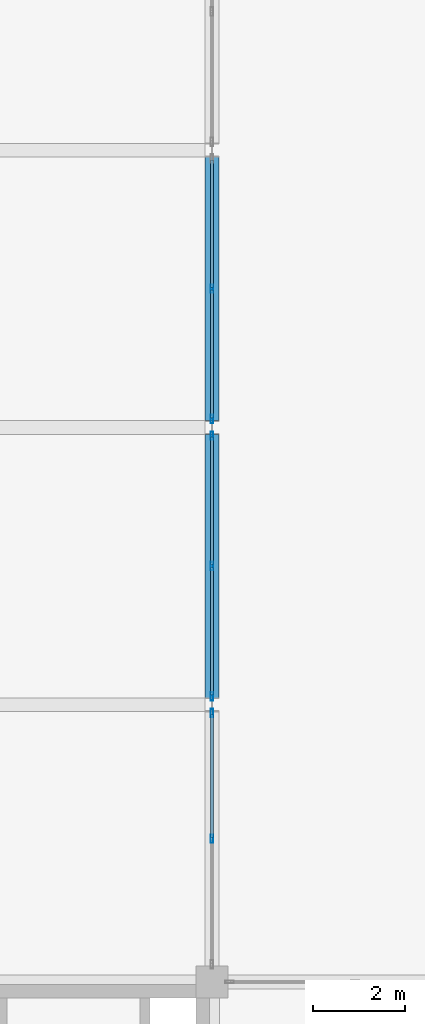
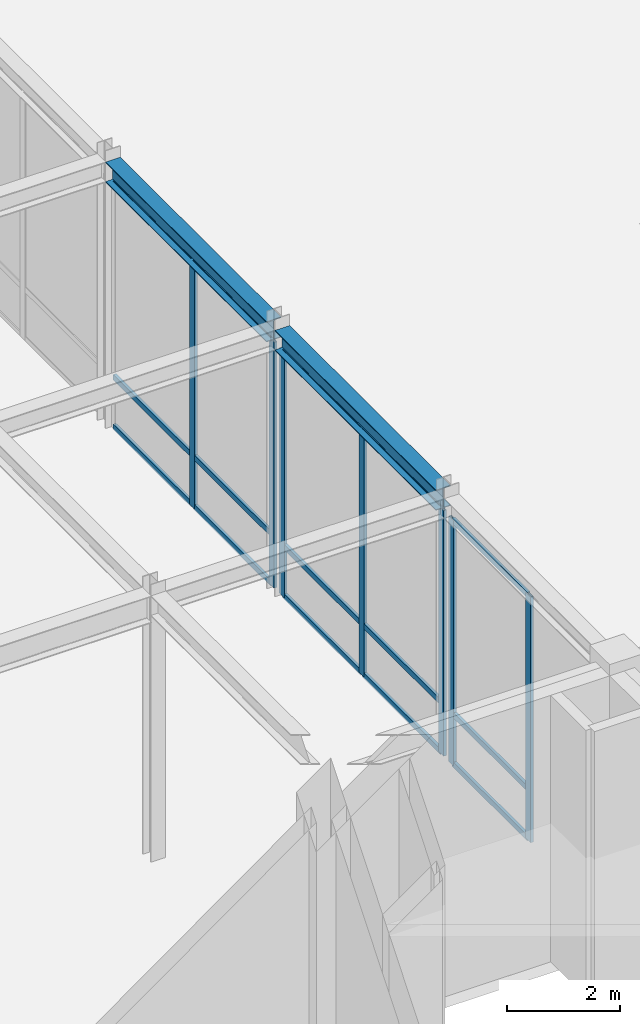
# One storey, part 42 of 108: 22 members, 2 beams, 3 elements without a shape of their own.
"""IFC4 building model written with IfcOpenShell, lengths in metres."""

from ifc_helpers import new_model, si_unit, direction, frame, origin, origin_2d, place, context, subcontext, project, spatial, hollow_rectangle, i_section, extrude, material, layer, layer_set, material_profile, profile_set, type_object, element, aggregate, save


model = new_model("IFC4")

# Units and contexts
model_context = context("Model", 3, precision=1e-05, world=origin(), true_north=direction((0.0, 1.0)))
body_context = subcontext(model_context, "Body", "Model", "MODEL_VIEW")
ifc_project = project(units=[si_unit("LENGTHUNIT", "METRE"), si_unit("AREAUNIT", "SQUARE_METRE"), si_unit("VOLUMEUNIT", "CUBIC_METRE"), si_unit("PLANEANGLEUNIT", "RADIAN"), si_unit("MASSUNIT", "GRAM", prefix="KILO")], contexts=[model_context])

# Site, building, storey
site_placement = place(None, origin())
site = spatial("IfcSite", under=ifc_project, at=site_placement, CompositionType="ELEMENT")
building_placement = place(site_placement, origin())
building = spatial("IfcBuilding", under=site, at=building_placement, Name="Zlatovratsky Civic Hall", CompositionType="ELEMENT")
storey_placement = place(building_placement, frame((0.0, 0.0, 6.0)))
storey = spatial("IfcBuildingStorey", under=building, at=storey_placement, Name="L02", CompositionType="ELEMENT", Elevation=6.0)

# Beams
ifc_material_1 = material(Name="Steel S355", Category="steel")
ifc_material_profile_1 = material_profile(ifc_material_1, i_section(OverallWidth=0.300048828125, OverallDepth=0.43994140625, WebThickness=0.010986328125, FlangeThickness=0.01806640625, FilletRadius=0.02197265625, at=origin_2d()), Name="45Sh1")
ifc_profile_set_1 = profile_set([ifc_material_profile_1], Name="Steel S355")
beam_type = type_object("IfcBeamType", Name="Beam_TowerLow_45Sh1", PredefinedType="BEAM", material=ifc_profile_set_1)
for number, where, z_axis, x_axis, name in (
    (1, (18.0, 36.14990234375, 5.5400390625), (0.0, 1.0, 0.0), (-1.0, 0.0, 0.0), "BM-2095"),
    (2, (18.0, 42.14990234375, 5.5400390625), (0.0, 1.0, 0.0), (-1.0, 0.0, 0.0), "BM-2096"),
):
    element("IfcBeam", number, at=place(storey_placement, frame(where, z_axis=z_axis, x_axis=x_axis)), inside=storey, type_object=beam_type, Name=name, PredefinedType="BEAM", context=body_context, shape_type="SweptSolid", body=[
        extrude(i_section(OverallWidth=0.300048828125, OverallDepth=0.43994140625, WebThickness=0.010986328125, FlangeThickness=0.01806640625, FilletRadius=0.02197265625, at=origin_2d()), origin(), (0.0, 0.0, 1.0), 5.7001953125),
    ])

# Curtain wall, members
ifc_material_2 = material(Name="Anodised bronze aluminium", Category="aluminium")
ifc_layer_1 = layer(ifc_material_2, 0.159912109375)
ifc_layer_set_1 = layer_set([ifc_layer_1], Name="Anodised bronze aluminium")
curtain_wall_type_1 = type_object("IfcCurtainWallType", Name="CurtainWall_Bronze_5500x5310_04", PredefinedType="NOTDEFINED", material=ifc_layer_set_1)
curtain_wall_1_placement = place(storey_placement, origin())
curtain_wall_1 = element("IfcCurtainWall", 3, at=curtain_wall_1_placement, inside=storey, type_object=curtain_wall_type_1, Name="CW-015", PredefinedType="NOTDEFINED")
ifc_material_profile_2 = material_profile(ifc_material_2, hollow_rectangle(XDim=0.06005859375, YDim=0.179931640625, WallThickness=0.00390625, at=origin_2d()), Name="ALU 60x180x4")
ifc_profile_set_2 = profile_set([ifc_material_profile_2], Name="Anodised bronze aluminium")
member_type_1 = type_object("IfcMemberType", Name="CW_Mullion_60x180", PredefinedType="MULLION", material=ifc_profile_set_2)
member_1_placement = place(storey_placement, frame((18.0, 33.10009765625, 0.0), z_axis=(0.0, 0.0, 1.0), x_axis=(-1.0, 0.0, 0.0)))
member_1 = element("IfcMember", 4, at=member_1_placement, type_object=member_type_1, Name="CW-04 mullion 2", PredefinedType="MULLION", context=body_context, shape_type="SweptSolid", body=[
    extrude(hollow_rectangle(XDim=0.06005859375, YDim=0.179931640625, WallThickness=0.00390625, at=origin_2d()), origin(), (0.0, 0.0, 1.0), 5.31005859375),
])
member_2_placement = place(storey_placement, frame((18.0, 35.820068359375, 0.0), z_axis=(0.0, 0.0, 1.0), x_axis=(-1.0, 0.0, 0.0)))
member_2 = element("IfcMember", 5, at=member_2_placement, type_object=member_type_1, Name="CW-04 mullion 3", PredefinedType="MULLION", context=body_context, shape_type="SweptSolid", body=[
    extrude(hollow_rectangle(XDim=0.06005859375, YDim=0.179931640625, WallThickness=0.00390625, at=origin_2d()), origin(), (0.0, 0.0, 1.0), 5.31005859375),
])

ifc_layer_2 = layer(ifc_material_2, 0.159912109375)
ifc_layer_set_2 = layer_set([ifc_layer_2], Name="Anodised bronze aluminium")
curtain_wall_type_2 = type_object("IfcCurtainWallType", Name="CurtainWall_Bronze_5700x5310_06", PredefinedType="NOTDEFINED", material=ifc_layer_set_2)
curtain_wall_2_placement = place(storey_placement, origin())
curtain_wall_2 = element("IfcCurtainWall", 6, at=curtain_wall_2_placement, inside=storey, type_object=curtain_wall_type_2, Name="CW-016", PredefinedType="NOTDEFINED")
member_3_placement = place(storey_placement, frame((18.0, 36.179931640625, 0.0), z_axis=(0.0, 0.0, 1.0), x_axis=(-1.0, 0.0, 0.0)))
member_3 = element("IfcMember", 7, at=member_3_placement, type_object=member_type_1, Name="CW-06 mullion 1", PredefinedType="MULLION", context=body_context, shape_type="SweptSolid", body=[
    extrude(hollow_rectangle(XDim=0.06005859375, YDim=0.179931640625, WallThickness=0.00390625, at=origin_2d()), origin(), (0.0, 0.0, 1.0), 5.31005859375),
])
member_4_placement = place(storey_placement, frame((18.0, 39.0, 0.0), z_axis=(0.0, 0.0, 1.0), x_axis=(-1.0, 0.0, 0.0)))
member_4 = element("IfcMember", 8, at=member_4_placement, type_object=member_type_1, Name="CW-06 mullion 2", PredefinedType="MULLION", context=body_context, shape_type="SweptSolid", body=[
    extrude(hollow_rectangle(XDim=0.06005859375, YDim=0.179931640625, WallThickness=0.00390625, at=origin_2d()), origin(), (0.0, 0.0, 1.0), 5.31005859375),
])
member_5_placement = place(storey_placement, frame((18.0, 41.820068359375, 0.0), z_axis=(0.0, 0.0, 1.0), x_axis=(-1.0, 0.0, 0.0)))
member_5 = element("IfcMember", 9, at=member_5_placement, type_object=member_type_1, Name="CW-06 mullion 3", PredefinedType="MULLION", context=body_context, shape_type="SweptSolid", body=[
    extrude(hollow_rectangle(XDim=0.06005859375, YDim=0.179931640625, WallThickness=0.00390625, at=origin_2d()), origin(), (0.0, 0.0, 1.0), 5.31005859375),
])

curtain_wall_3_placement = place(storey_placement, origin())
curtain_wall_3 = element("IfcCurtainWall", 10, at=curtain_wall_3_placement, inside=storey, type_object=curtain_wall_type_2, Name="CW-017", PredefinedType="NOTDEFINED")
member_6_placement = place(storey_placement, frame((18.0, 42.179931640625, 0.0), z_axis=(0.0, 0.0, 1.0), x_axis=(-1.0, 0.0, 0.0)))
member_6 = element("IfcMember", 11, at=member_6_placement, type_object=member_type_1, Name="CW-06 mullion 1", PredefinedType="MULLION", context=body_context, shape_type="SweptSolid", body=[
    extrude(hollow_rectangle(XDim=0.06005859375, YDim=0.179931640625, WallThickness=0.00390625, at=origin_2d()), origin(), (0.0, 0.0, 1.0), 5.31005859375),
])
member_7_placement = place(storey_placement, frame((18.0, 45.0, 0.0), z_axis=(0.0, 0.0, 1.0), x_axis=(-1.0, 0.0, 0.0)))
member_7 = element("IfcMember", 12, at=member_7_placement, type_object=member_type_1, Name="CW-06 mullion 2", PredefinedType="MULLION", context=body_context, shape_type="SweptSolid", body=[
    extrude(hollow_rectangle(XDim=0.06005859375, YDim=0.179931640625, WallThickness=0.00390625, at=origin_2d()), origin(), (0.0, 0.0, 1.0), 5.31005859375),
])

# Member
ifc_material_profile_3 = material_profile(ifc_material_2, hollow_rectangle(XDim=0.06005859375, YDim=0.1201171875, WallThickness=0.00390625, at=origin_2d()), Name="ALU 60x120x4")
ifc_profile_set_3 = profile_set([ifc_material_profile_3], Name="Anodised bronze aluminium")
member_type_2 = type_object("IfcMemberType", Name="CW_Transom_60x120", PredefinedType="USERDEFINED", material=ifc_profile_set_3)
member_8_placement = place(storey_placement, frame((18.0, 33.1298828125, 0.030029296875), z_axis=(0.0, 1.0, 0.0), x_axis=(-1.0, 0.0, 0.0)))
member_8 = element("IfcMember", 13, at=member_8_placement, type_object=member_type_2, Name="CW-04 transom 2.1", ObjectType="TRANSOM", PredefinedType="USERDEFINED", context=body_context, shape_type="SweptSolid", body=[
    extrude(hollow_rectangle(XDim=0.06005859375, YDim=0.1201171875, WallThickness=0.00390625, at=origin_2d()), origin(), (0.0, 0.0, 1.0), 2.66015625),
])

member_9_placement = place(storey_placement, frame((18.0, 33.1298828125, 1.10009765625), z_axis=(0.0, 1.0, 0.0), x_axis=(-1.0, 0.0, 0.0)))
member_9 = element("IfcMember", 14, at=member_9_placement, type_object=member_type_2, Name="CW-04 transom 2.2", ObjectType="TRANSOM", PredefinedType="USERDEFINED", context=body_context, shape_type="SweptSolid", body=[
    extrude(hollow_rectangle(XDim=0.06005859375, YDim=0.1201171875, WallThickness=0.00390625, at=origin_2d()), origin(), (0.0, 0.0, 1.0), 2.66015625),
])

member_10_placement = place(storey_placement, frame((18.0, 33.1298828125, 5.280029296875), z_axis=(0.0, 1.0, 0.0), x_axis=(-1.0, 0.0, 0.0)))
member_10 = element("IfcMember", 15, at=member_10_placement, type_object=member_type_2, Name="CW-04 transom 2.3", ObjectType="TRANSOM", PredefinedType="USERDEFINED", context=body_context, shape_type="SweptSolid", body=[
    extrude(hollow_rectangle(XDim=0.06005859375, YDim=0.1201171875, WallThickness=0.00390625, at=origin_2d()), origin(), (0.0, 0.0, 1.0), 2.66015625),
])

aggregate(curtain_wall_1, [member_1, member_2, member_8, member_9, member_10])

member_11_placement = place(storey_placement, frame((18.0, 36.2099609375, 0.030029296875), z_axis=(0.0, 1.0, 0.0), x_axis=(-1.0, 0.0, 0.0)))
member_11 = element("IfcMember", 16, at=member_11_placement, type_object=member_type_2, Name="CW-06 transom 1.1", ObjectType="TRANSOM", PredefinedType="USERDEFINED", context=body_context, shape_type="SweptSolid", body=[
    extrude(hollow_rectangle(XDim=0.06005859375, YDim=0.1201171875, WallThickness=0.00390625, at=origin_2d()), origin(), (0.0, 0.0, 1.0), 2.760009765625),
])

member_12_placement = place(storey_placement, frame((18.0, 36.2099609375, 1.10009765625), z_axis=(0.0, 1.0, 0.0), x_axis=(-1.0, 0.0, 0.0)))
member_12 = element("IfcMember", 17, at=member_12_placement, type_object=member_type_2, Name="CW-06 transom 1.2", ObjectType="TRANSOM", PredefinedType="USERDEFINED", context=body_context, shape_type="SweptSolid", body=[
    extrude(hollow_rectangle(XDim=0.06005859375, YDim=0.1201171875, WallThickness=0.00390625, at=origin_2d()), origin(), (0.0, 0.0, 1.0), 2.760009765625),
])

member_13_placement = place(storey_placement, frame((18.0, 36.2099609375, 5.280029296875), z_axis=(0.0, 1.0, 0.0), x_axis=(-1.0, 0.0, 0.0)))
member_13 = element("IfcMember", 18, at=member_13_placement, type_object=member_type_2, Name="CW-06 transom 1.3", ObjectType="TRANSOM", PredefinedType="USERDEFINED", context=body_context, shape_type="SweptSolid", body=[
    extrude(hollow_rectangle(XDim=0.06005859375, YDim=0.1201171875, WallThickness=0.00390625, at=origin_2d()), origin(), (0.0, 0.0, 1.0), 2.760009765625),
])

member_14_placement = place(storey_placement, frame((18.0, 39.030029296875, 0.030029296875), z_axis=(0.0, 1.0, 0.0), x_axis=(-1.0, 0.0, 0.0)))
member_14 = element("IfcMember", 19, at=member_14_placement, type_object=member_type_2, Name="CW-06 transom 2.1", ObjectType="TRANSOM", PredefinedType="USERDEFINED", context=body_context, shape_type="SweptSolid", body=[
    extrude(hollow_rectangle(XDim=0.06005859375, YDim=0.1201171875, WallThickness=0.00390625, at=origin_2d()), origin(), (0.0, 0.0, 1.0), 2.760009765625),
])

member_15_placement = place(storey_placement, frame((18.0, 39.030029296875, 1.10009765625), z_axis=(0.0, 1.0, 0.0), x_axis=(-1.0, 0.0, 0.0)))
member_15 = element("IfcMember", 20, at=member_15_placement, type_object=member_type_2, Name="CW-06 transom 2.2", ObjectType="TRANSOM", PredefinedType="USERDEFINED", context=body_context, shape_type="SweptSolid", body=[
    extrude(hollow_rectangle(XDim=0.06005859375, YDim=0.1201171875, WallThickness=0.00390625, at=origin_2d()), origin(), (0.0, 0.0, 1.0), 2.760009765625),
])

member_16_placement = place(storey_placement, frame((18.0, 39.030029296875, 5.280029296875), z_axis=(0.0, 1.0, 0.0), x_axis=(-1.0, 0.0, 0.0)))
member_16 = element("IfcMember", 21, at=member_16_placement, type_object=member_type_2, Name="CW-06 transom 2.3", ObjectType="TRANSOM", PredefinedType="USERDEFINED", context=body_context, shape_type="SweptSolid", body=[
    extrude(hollow_rectangle(XDim=0.06005859375, YDim=0.1201171875, WallThickness=0.00390625, at=origin_2d()), origin(), (0.0, 0.0, 1.0), 2.760009765625),
])

aggregate(curtain_wall_2, [member_3, member_4, member_5, member_11, member_12, member_13, member_14, member_15, member_16])

member_17_placement = place(storey_placement, frame((18.0, 42.2099609375, 0.030029296875), z_axis=(0.0, 1.0, 0.0), x_axis=(-1.0, 0.0, 0.0)))
member_17 = element("IfcMember", 22, at=member_17_placement, type_object=member_type_2, Name="CW-06 transom 1.1", ObjectType="TRANSOM", PredefinedType="USERDEFINED", context=body_context, shape_type="SweptSolid", body=[
    extrude(hollow_rectangle(XDim=0.06005859375, YDim=0.1201171875, WallThickness=0.00390625, at=origin_2d()), origin(), (0.0, 0.0, 1.0), 2.760009765625),
])

member_18_placement = place(storey_placement, frame((18.0, 42.2099609375, 1.10009765625), z_axis=(0.0, 1.0, 0.0), x_axis=(-1.0, 0.0, 0.0)))
member_18 = element("IfcMember", 23, at=member_18_placement, type_object=member_type_2, Name="CW-06 transom 1.2", ObjectType="TRANSOM", PredefinedType="USERDEFINED", context=body_context, shape_type="SweptSolid", body=[
    extrude(hollow_rectangle(XDim=0.06005859375, YDim=0.1201171875, WallThickness=0.00390625, at=origin_2d()), origin(), (0.0, 0.0, 1.0), 2.760009765625),
])

member_19_placement = place(storey_placement, frame((18.0, 42.2099609375, 5.280029296875), z_axis=(0.0, 1.0, 0.0), x_axis=(-1.0, 0.0, 0.0)))
member_19 = element("IfcMember", 24, at=member_19_placement, type_object=member_type_2, Name="CW-06 transom 1.3", ObjectType="TRANSOM", PredefinedType="USERDEFINED", context=body_context, shape_type="SweptSolid", body=[
    extrude(hollow_rectangle(XDim=0.06005859375, YDim=0.1201171875, WallThickness=0.00390625, at=origin_2d()), origin(), (0.0, 0.0, 1.0), 2.760009765625),
])

member_20_placement = place(storey_placement, frame((18.0, 45.030029296875, 0.030029296875), z_axis=(0.0, 1.0, 0.0), x_axis=(-1.0, 0.0, 0.0)))
member_20 = element("IfcMember", 25, at=member_20_placement, type_object=member_type_2, Name="CW-06 transom 2.1", ObjectType="TRANSOM", PredefinedType="USERDEFINED", context=body_context, shape_type="SweptSolid", body=[
    extrude(hollow_rectangle(XDim=0.06005859375, YDim=0.1201171875, WallThickness=0.00390625, at=origin_2d()), origin(), (0.0, 0.0, 1.0), 2.760009765625),
])

member_21_placement = place(storey_placement, frame((18.0, 45.030029296875, 1.10009765625), z_axis=(0.0, 1.0, 0.0), x_axis=(-1.0, 0.0, 0.0)))
member_21 = element("IfcMember", 26, at=member_21_placement, type_object=member_type_2, Name="CW-06 transom 2.2", ObjectType="TRANSOM", PredefinedType="USERDEFINED", context=body_context, shape_type="SweptSolid", body=[
    extrude(hollow_rectangle(XDim=0.06005859375, YDim=0.1201171875, WallThickness=0.00390625, at=origin_2d()), origin(), (0.0, 0.0, 1.0), 2.760009765625),
])

member_22_placement = place(storey_placement, frame((18.0, 45.030029296875, 5.280029296875), z_axis=(0.0, 1.0, 0.0), x_axis=(-1.0, 0.0, 0.0)))
member_22 = element("IfcMember", 27, at=member_22_placement, type_object=member_type_2, Name="CW-06 transom 2.3", ObjectType="TRANSOM", PredefinedType="USERDEFINED", context=body_context, shape_type="SweptSolid", body=[
    extrude(hollow_rectangle(XDim=0.06005859375, YDim=0.1201171875, WallThickness=0.00390625, at=origin_2d()), origin(), (0.0, 0.0, 1.0), 2.760009765625),
])

aggregate(curtain_wall_3, [member_6, member_7, member_17, member_18, member_19, member_20, member_21, member_22])

save(model, "model.ifc")
